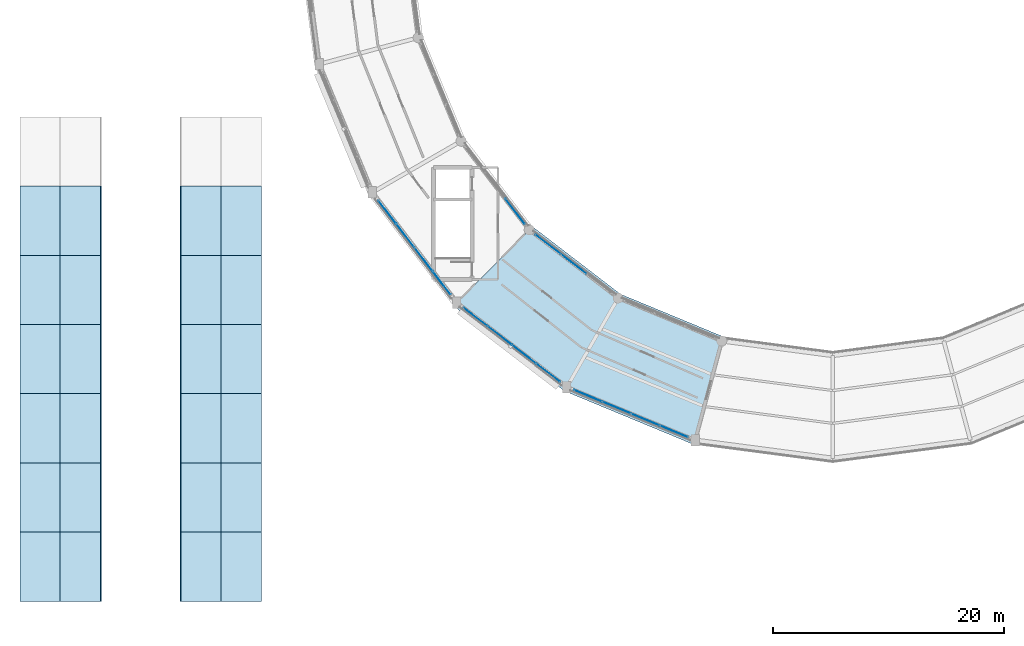
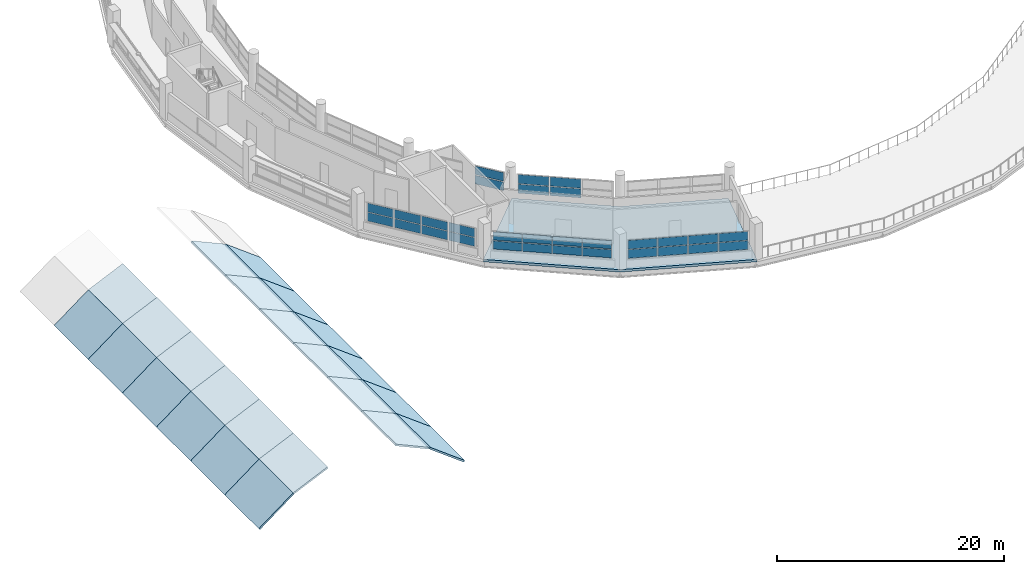
"""IFC4 building model written with IfcOpenShell, lengths in metres."""

import ifcopenshell
import ifcopenshell.guid

model = None  # the IFC model being written
_history = None  # IfcOwnerHistory: only IFC2X3 demands one
_inside = {}  # id of a spatial element -> (the spatial element, [elements in it])
_under = {}  # id of a project, library or spatial element -> (it, [spatial elements below it])
_declared = {}  # id of a project -> (the project, [libraries it declares])
_typed = {}  # id of a type object -> (the type object, [elements of that type])
_made_of = {}  # id of a material, layer set ... -> (it, [elements and type objects made of it])


def new_model(schema):
    """Start an empty IFC model of exactly this schema.

    Asked for "IFC4X3", IfcOpenShell would pick the latest addendum, in which some entities
    have other attributes; the version numbers below select the first issue.
    IFC2X3 requires an IfcOwnerHistory on every rooted entity: one is made here for all.
    """
    global model, _history
    if schema == "IFC4X3":
        model = ifcopenshell.file(schema_version=(4, 3, 0, 0))
    else:
        model = ifcopenshell.file(schema=schema)
    _inside.clear()
    _under.clear()
    _declared.clear()
    _typed.clear()
    _made_of.clear()
    _history = None
    if model.schema == "IFC2X3":
        org = make("IfcOrganization", Name="unknown")
        user = make(
            "IfcPersonAndOrganization",
            ThePerson=make("IfcPerson", FamilyName="unknown"),
            TheOrganization=org,
        )
        app = make(
            "IfcApplication",
            ApplicationDeveloper=org,
            Version="unknown",
            ApplicationFullName="unknown",
            ApplicationIdentifier="unknown",
        )
        _history = make(
            "IfcOwnerHistory",
            OwningUser=user,
            OwningApplication=app,
            ChangeAction="ADDED",
            CreationDate=0,
        )
    return model


def make(cls, **values):
    """One entity of the class cls with the attributes given. An attribute that is None is left unset."""
    return model.create_entity(
        cls, **{name: value for name, value in values.items() if value is not None}
    )


def rooted(cls, **values):
    """An entity with a GlobalId (a new one), such as an element, a storey or a relation."""
    return make(cls, GlobalId=ifcopenshell.guid.new(), OwnerHistory=_history, **values)


def si_unit(unit_type, name, prefix=None):
    """IfcSIUnit, for example si_unit("LENGTHUNIT", "METRE", prefix="MILLI")."""
    return make("IfcSIUnit", UnitType=unit_type, Prefix=prefix, Name=name)


def assignment(units):
    """IfcUnitAssignment: the units of a project."""
    return None if units is None else make("IfcUnitAssignment", Units=units)


def point(xyz):
    """IfcCartesianPoint."""
    return None if xyz is None else make("IfcCartesianPoint", Coordinates=xyz)


def direction(xyz):
    """IfcDirection."""
    return None if xyz is None else make("IfcDirection", DirectionRatios=xyz)


def frame(location, z_axis=None, x_axis=None):
    """IfcAxis2Placement3D, a coordinate frame: its origin and axes. An axis left out is left unset."""
    return make(
        "IfcAxis2Placement3D",
        Location=point(location),
        Axis=direction(z_axis),
        RefDirection=direction(x_axis),
    )


def frame_2d(location, x_axis=None):
    """IfcAxis2Placement2D, a coordinate frame in the plane: its origin and x axis."""
    return make(
        "IfcAxis2Placement2D", Location=point(location), RefDirection=direction(x_axis)
    )


def origin():
    """The frame at (0, 0, 0) with its axes left unset."""
    return frame((0.0, 0.0, 0.0))


def origin_2d():
    """The frame at (0, 0) in the plane with its x axis left unset."""
    return frame_2d((0.0, 0.0))


def place(relative_to, where):
    """IfcLocalPlacement: puts the frame where relative to a parent placement (None: the world)."""
    return make(
        "IfcLocalPlacement", PlacementRelTo=relative_to, RelativePlacement=where
    )


def context(
    kind, dimensions, precision=None, world=None, true_north=None, identifier=None
):
    """IfcGeometricRepresentationContext, for example the 3D "Model" context."""
    return make(
        "IfcGeometricRepresentationContext",
        ContextIdentifier=identifier,
        ContextType=kind,
        CoordinateSpaceDimension=dimensions,
        Precision=precision,
        WorldCoordinateSystem=world,
        TrueNorth=true_north,
    )


def subcontext(parent, identifier, kind, view, scale=None):
    """IfcGeometricRepresentationSubContext, for example "Body" below "Model"."""
    return make(
        "IfcGeometricRepresentationSubContext",
        ContextIdentifier=identifier,
        ContextType=kind,
        ParentContext=parent,
        TargetScale=scale,
        TargetView=view,
    )


def project(units=None, contexts=None):
    """IfcProject with its units and contexts."""
    return rooted(
        "IfcProject",
        Name="project",
        RepresentationContexts=contexts,
        UnitsInContext=assignment(units),
    )


def spatial(cls, under=None, at=None, **own):
    """A site, building, storey or space (cls), placed at a placement, below another one or the project."""
    s = rooted(cls, ObjectPlacement=at, **own)
    if under is not None:
        _under.setdefault(under.id(), (under, []))[1].append(s)
    return s


def polyline(points):
    """IfcPolyline through the points."""
    return make("IfcPolyline", Points=[point(p) for p in points])


def profile(cls, at=None, kind="AREA", **sizes):
    """A parametric profile (cls). Its sizes go by their IFC names, for example OverallWidth=200.0."""
    return make(cls, ProfileType=kind, Position=at, **sizes)


def rectangle(**sizes):
    """IfcRectangleProfileDef."""
    return profile("IfcRectangleProfileDef", **sizes)


def outline(outer, holes=None, kind="AREA"):
    """IfcArbitraryClosedProfileDef: a profile drawn as a closed curve; with holes, ...WithVoids."""
    if holes is None:
        return make("IfcArbitraryClosedProfileDef", ProfileType=kind, OuterCurve=outer)
    return make(
        "IfcArbitraryProfileDefWithVoids",
        ProfileType=kind,
        OuterCurve=outer,
        InnerCurves=holes,
    )


def extrude(swept, where, along, depth):
    """IfcExtrudedAreaSolid: the profile swept, set in the frame where, extruded along a direction by depth."""
    return make(
        "IfcExtrudedAreaSolid",
        SweptArea=swept,
        Position=where,
        ExtrudedDirection=direction(along),
        Depth=depth,
    )


def shape(context_of_items, identifier, shape_type, items):
    """IfcShapeRepresentation: the items that make up one representation, for example the "Body"."""
    return make(
        "IfcShapeRepresentation",
        ContextOfItems=context_of_items,
        RepresentationIdentifier=identifier,
        RepresentationType=shape_type,
        Items=items,
    )


def material(Name=None, Category=None):
    """IfcMaterial."""
    return make("IfcMaterial", Name=Name, Category=Category)


def layer(
    of_material, thickness, ventilated=None, Name=None, Category=None, Priority=None
):
    """IfcMaterialLayer: one layer of a wall or slab, of a material (None: an air gap)."""
    return make(
        "IfcMaterialLayer",
        Material=of_material,
        LayerThickness=thickness,
        IsVentilated=ventilated,
        Name=Name,
        Category=Category,
        Priority=Priority,
    )


def layer_set(layers, Name=None):
    """IfcMaterialLayerSet."""
    return make("IfcMaterialLayerSet", MaterialLayers=layers, LayerSetName=Name)


def made_of(thing, what):
    """Note that an element or type object is made of a material, layer set ...; save() writes the relation."""
    if what is not None:
        _made_of.setdefault(what.id(), (what, []))[1].append(thing)
    return thing


def type_object(cls, material=None, **own):
    """A type object (cls), such as IfcWallType, which elements share."""
    return made_of(rooted(cls, **own), material)


def element(
    cls,
    number,
    at=None,
    inside=None,
    cuts=None,
    type_object=None,
    material=None,
    context=None,
    identifier="Body",
    shape_type=None,
    held_by="IfcProductDefinitionShape",
    body=None,
    shapes=None,
    **own,
):
    """One element of the class cls, such as IfcWall. Its Tag is "e" and its number.

    at: its placement. inside: the storey or other place that contains it. cuts: it is an
    opening in that element (IfcRelVoidsElement). A single representation is given by context,
    identifier, shape_type and body (its items); several are given by shapes. held_by: the class
    of the entity that holds the representations. save() writes the other relations.
    """
    e = rooted(cls, Tag="e%d" % number, ObjectPlacement=at, **own)
    if body is not None:
        shapes = [shape(context, identifier, shape_type, body)]
    if shapes is not None:
        e.Representation = make(held_by, Representations=shapes)
    if inside is not None:
        _inside.setdefault(inside.id(), (inside, []))[1].append(e)
    if cuts is not None:
        rooted(
            "IfcRelVoidsElement", RelatingBuildingElement=cuts, RelatedOpeningElement=e
        )
    if type_object is not None:
        _typed.setdefault(type_object.id(), (type_object, []))[1].append(e)
    return made_of(e, material)


def aggregate(whole, parts):
    """IfcRelAggregates: a whole, such as a stair, and the parts it consists of."""
    return rooted("IfcRelAggregates", RelatingObject=whole, RelatedObjects=parts)


def save(model, path):
    """Write the relations noted so far, then the file.

    IfcRelAggregates (storeys below a building ...), IfcRelContainedInSpatialStructure (elements
    in a storey), IfcRelDefinesByType, IfcRelAssociatesMaterial and IfcRelDeclares: one each for
    every whole, place, type object, material and project.
    """
    for whole, parts in _under.values():
        aggregate(whole, parts)
    for where, things in _inside.values():
        rooted(
            "IfcRelContainedInSpatialStructure",
            RelatedElements=things,
            RelatingStructure=where,
        )
    for kind, things in _typed.values():
        rooted("IfcRelDefinesByType", RelatedObjects=things, RelatingType=kind)
    for what, things in _made_of.values():
        rooted("IfcRelAssociatesMaterial", RelatedObjects=things, RelatingMaterial=what)
    for by, libraries in _declared.values():
        rooted("IfcRelDeclares", RelatingContext=by, RelatedDefinitions=libraries)
    model.write(path)


model = new_model("IFC4")

# Units and contexts
model_context = context("Model", 3, precision=1e-05, world=origin(), true_north=direction((0.0, 1.0)))
body_context = subcontext(model_context, "Body", "Model", "MODEL_VIEW")
ifc_project = project(units=[si_unit("LENGTHUNIT", "METRE"), si_unit("AREAUNIT", "SQUARE_METRE"), si_unit("VOLUMEUNIT", "CUBIC_METRE"), si_unit("PLANEANGLEUNIT", "RADIAN"), si_unit("MASSUNIT", "GRAM", prefix="KILO")], contexts=[model_context])

# Site, building, storey
site_placement = place(None, origin())
site = spatial("IfcSite", under=ifc_project, at=site_placement, CompositionType="ELEMENT")
building_placement = place(site_placement, origin())
building = spatial("IfcBuilding", under=site, at=building_placement, Name="Vespera Passage Community Centre", CompositionType="ELEMENT")
storey_1_placement = place(building_placement, frame((0.0, 0.0, 20.39990234375)))
storey_1 = spatial("IfcBuildingStorey", under=building, at=storey_1_placement, Name="L05", CompositionType="ELEMENT", Elevation=20.39990234375)

# Curtain wall, plates
ifc_material_1 = material(Name="Anodized aluminium 6063-T6", Category="aluminium")
ifc_layer_1 = layer(ifc_material_1, 0.159912109375)
ifc_layer_set_1 = layer_set([ifc_layer_1], Name="Anodized aluminium 6063-T6")
curtain_wall_type_1 = type_object("IfcCurtainWallType", Name="CW-69E", PredefinedType="NOTDEFINED", material=ifc_layer_set_1)
curtain_wall_1_placement = place(storey_1_placement, origin())
curtain_wall_1 = element("IfcCurtainWall", 1, at=curtain_wall_1_placement, inside=storey_1, type_object=curtain_wall_type_1, Name="V4 L05 Outer Ribbon Curtain Wall 15", PredefinedType="NOTDEFINED")
ifc_material_2 = material(Name="Low-E insulated vision glass", Category="glass")
ifc_layer_2 = layer(ifc_material_2, 0.02001953125)
ifc_layer_set_2 = layer_set([ifc_layer_2], Name="Low-E insulated vision glass")
plate_type_1 = type_object("IfcPlateType", Name="PL-CWP-20E", PredefinedType="CURTAIN_PANEL", material=ifc_layer_set_2)
plate_1_placement = place(storey_1_placement, frame((53.33447265625, 26.81591796875, 0.919921875), z_axis=(0.0, 0.0, 1.0), x_axis=(-0.793345363065, 0.608771824991, 0.0)))
plate_1 = element("IfcPlate", 2, at=plate_1_placement, type_object=plate_type_1, Name="CW-69E panel 1.1", PredefinedType="CURTAIN_PANEL", context=body_context, shape_type="SweptSolid", body=[
    extrude(rectangle(XDim=2.5673828125, YDim=0.02001953125, at=origin_2d()), origin(), (0.0, 0.0, 1.0), 0.872802734375),
])
plate_2_placement = place(storey_1_placement, frame((53.33447265625, 26.81591796875, 1.89306640625), z_axis=(0.0, 0.0, 1.0), x_axis=(-0.793345363065, 0.608771824991, 0.0)))
plate_2 = element("IfcPlate", 3, at=plate_2_placement, type_object=plate_type_1, Name="CW-69E panel 1.2", PredefinedType="CURTAIN_PANEL", context=body_context, shape_type="SweptSolid", body=[
    extrude(rectangle(XDim=2.5673828125, YDim=0.02001953125, at=origin_2d()), origin(), (0.0, 0.0, 1.0), 0.872802734375),
])
plate_3_placement = place(storey_1_placement, frame((51.233154296875, 28.42822265625, 0.919921875), z_axis=(0.0, 0.0, 1.0), x_axis=(-0.793345363065, 0.608771824991, 0.0)))
plate_3 = element("IfcPlate", 4, at=plate_3_placement, type_object=plate_type_1, Name="CW-69E panel 2.1", PredefinedType="CURTAIN_PANEL", context=body_context, shape_type="SweptSolid", body=[
    extrude(rectangle(XDim=2.599853515625, YDim=0.02001953125, at=origin_2d()), origin(), (0.0, 0.0, 1.0), 0.872802734375),
])
plate_4_placement = place(storey_1_placement, frame((51.233154296875, 28.42822265625, 1.89306640625), z_axis=(0.0, 0.0, 1.0), x_axis=(-0.793345363065, 0.608771824991, 0.0)))
plate_4 = element("IfcPlate", 5, at=plate_4_placement, type_object=plate_type_1, Name="CW-69E panel 2.2", PredefinedType="CURTAIN_PANEL", context=body_context, shape_type="SweptSolid", body=[
    extrude(rectangle(XDim=2.599853515625, YDim=0.02001953125, at=origin_2d()), origin(), (0.0, 0.0, 1.0), 0.872802734375),
])
plate_5_placement = place(storey_1_placement, frame((49.119140625, 30.050537109375, 0.919921875), z_axis=(0.0, 0.0, 1.0), x_axis=(-0.793345363065, 0.608771824991, 0.0)))
plate_5 = element("IfcPlate", 6, at=plate_5_placement, type_object=plate_type_1, Name="CW-69E panel 3.1", PredefinedType="CURTAIN_PANEL", context=body_context, shape_type="SweptSolid", body=[
    extrude(rectangle(XDim=2.599853515625, YDim=0.02001953125, at=origin_2d()), origin(), (0.0, 0.0, 1.0), 0.872802734375),
])
plate_6_placement = place(storey_1_placement, frame((49.119140625, 30.050537109375, 1.89306640625), z_axis=(0.0, 0.0, 1.0), x_axis=(-0.793345363065, 0.608771824991, 0.0)))
plate_6 = element("IfcPlate", 7, at=plate_6_placement, type_object=plate_type_1, Name="CW-69E panel 3.2", PredefinedType="CURTAIN_PANEL", context=body_context, shape_type="SweptSolid", body=[
    extrude(rectangle(XDim=2.599853515625, YDim=0.02001953125, at=origin_2d()), origin(), (0.0, 0.0, 1.0), 0.872802734375),
])
plate_7_placement = place(storey_1_placement, frame((47.017822265625, 31.662841796875, 0.919921875), z_axis=(0.0, 0.0, 1.0), x_axis=(-0.793345363065, 0.608771824991, 0.0)))
plate_7 = element("IfcPlate", 8, at=plate_7_placement, type_object=plate_type_1, Name="CW-69E panel 4.1", PredefinedType="CURTAIN_PANEL", context=body_context, shape_type="SweptSolid", body=[
    extrude(rectangle(XDim=2.5673828125, YDim=0.02001953125, at=origin_2d()), origin(), (0.0, 0.0, 1.0), 0.872802734375),
])
plate_8_placement = place(storey_1_placement, frame((47.017822265625, 31.662841796875, 1.89306640625), z_axis=(0.0, 0.0, 1.0), x_axis=(-0.793345363065, 0.608771824991, 0.0)))
plate_8 = element("IfcPlate", 9, at=plate_8_placement, type_object=plate_type_1, Name="CW-69E panel 4.2", PredefinedType="CURTAIN_PANEL", context=body_context, shape_type="SweptSolid", body=[
    extrude(rectangle(XDim=2.5673828125, YDim=0.02001953125, at=origin_2d()), origin(), (0.0, 0.0, 1.0), 0.872802734375),
])
aggregate(curtain_wall_1, [plate_1, plate_2, plate_3, plate_4, plate_5, plate_6, plate_7, plate_8])

ifc_material_3 = material(Name="Anodized aluminium 6063-T6", Category="aluminium")
ifc_layer_3 = layer(ifc_material_3, 0.159912109375)
ifc_layer_set_3 = layer_set([ifc_layer_3], Name="Anodized aluminium 6063-T6")
curtain_wall_type_2 = type_object("IfcCurtainWallType", Name="CW-70E", PredefinedType="NOTDEFINED", material=ifc_layer_set_3)
curtain_wall_2_placement = place(storey_1_placement, origin())
curtain_wall_2 = element("IfcCurtainWall", 10, at=curtain_wall_2_placement, inside=storey_1, type_object=curtain_wall_type_2, Name="V4 L05 Inner Court Curtain Wall 15", PredefinedType="NOTDEFINED")
plate_9_placement = place(storey_1_placement, frame((53.308349609375, 37.958251953125, 0.880126953125), z_axis=(0.0, 0.0, 1.0), x_axis=(0.793358205999, -0.608755087843, 0.0)))
plate_9 = element("IfcPlate", 11, at=plate_9_placement, type_object=plate_type_1, Name="CW-70E panel 1.1", PredefinedType="CURTAIN_PANEL", context=body_context, shape_type="SweptSolid", body=[
    extrude(rectangle(XDim=2.72900390625, YDim=0.02001953125, at=origin_2d()), origin(), (0.0, 0.0, 1.0), 0.974609375),
])
plate_10_placement = place(storey_1_placement, frame((53.308349609375, 37.958251953125, 1.91455078125), z_axis=(0.0, 0.0, 1.0), x_axis=(0.793358205999, -0.608755087843, 0.0)))
plate_10 = element("IfcPlate", 12, at=plate_10_placement, type_object=plate_type_1, Name="CW-70E panel 1.2", PredefinedType="CURTAIN_PANEL", context=body_context, shape_type="SweptSolid", body=[
    extrude(rectangle(XDim=2.72900390625, YDim=0.02001953125, at=origin_2d()), origin(), (0.0, 0.0, 1.0), 0.974853515625),
])
plate_11_placement = place(storey_1_placement, frame((55.5478515625, 36.23974609375, 0.880126953125), z_axis=(0.0, 0.0, 1.0), x_axis=(0.793358205999, -0.608755087843, 0.0)))
plate_11 = element("IfcPlate", 13, at=plate_11_placement, type_object=plate_type_1, Name="CW-70E panel 2.1", PredefinedType="CURTAIN_PANEL", context=body_context, shape_type="SweptSolid", body=[
    extrude(rectangle(XDim=2.7666015625, YDim=0.02001953125, at=origin_2d()), origin(), (0.0, 0.0, 1.0), 0.974609375),
])
plate_12_placement = place(storey_1_placement, frame((55.5478515625, 36.23974609375, 1.91455078125), z_axis=(0.0, 0.0, 1.0), x_axis=(0.793358205999, -0.608755087843, 0.0)))
plate_12 = element("IfcPlate", 14, at=plate_12_placement, type_object=plate_type_1, Name="CW-70E panel 2.2", PredefinedType="CURTAIN_PANEL", context=body_context, shape_type="SweptSolid", body=[
    extrude(rectangle(XDim=2.7666015625, YDim=0.02001953125, at=origin_2d()), origin(), (0.0, 0.0, 1.0), 0.974853515625),
])
aggregate(curtain_wall_2, [plate_9, plate_10, plate_11, plate_12])

ifc_material_4 = material(Name="Anodized aluminium 6063-T6", Category="aluminium")
ifc_layer_4 = layer(ifc_material_4, 0.159912109375)
ifc_layer_set_4 = layer_set([ifc_layer_4], Name="Anodized aluminium 6063-T6")
curtain_wall_type_3 = type_object("IfcCurtainWallType", Name="CW-71E", PredefinedType="NOTDEFINED", material=ifc_layer_set_4)
curtain_wall_3_placement = place(storey_1_placement, origin())
curtain_wall_3 = element("IfcCurtainWall", 15, at=curtain_wall_3_placement, inside=storey_1, type_object=curtain_wall_type_3, Name="V4 L05 Outer Ribbon Curtain Wall 16", PredefinedType="NOTDEFINED")
ifc_material_5 = material(Name="Low-E insulated vision glass", Category="glass")
ifc_layer_5 = layer(ifc_material_5, 0.028076171875)
ifc_layer_set_5 = layer_set([ifc_layer_5], Name="Low-E insulated vision glass")
plate_type_2 = type_object("IfcPlateType", Name="PL-CWP-28E", PredefinedType="CURTAIN_PANEL", material=ifc_layer_set_5)
plate_13_placement = place(storey_1_placement, frame((64.23095703125, 21.73193359375, 0.8798828125), z_axis=(0.0, 0.0, 1.0), x_axis=(-0.923879738007, 0.382682936255, 0.0)))
plate_13 = element("IfcPlate", 16, at=plate_13_placement, type_object=plate_type_2, Name="CW-71E panel 1.1", PredefinedType="CURTAIN_PANEL", context=body_context, shape_type="SweptSolid", body=[
    extrude(rectangle(XDim=2.585693359375, YDim=0.028076171875, at=origin_2d()), origin(), (0.0, 0.0, 1.0), 0.932861328125),
])
plate_14_placement = place(storey_1_placement, frame((64.23095703125, 21.73193359375, 1.873046875), z_axis=(0.0, 0.0, 1.0), x_axis=(-0.923879738007, 0.382682936255, 0.0)))
plate_14 = element("IfcPlate", 17, at=plate_14_placement, type_object=plate_type_2, Name="CW-71E panel 1.2", PredefinedType="CURTAIN_PANEL", context=body_context, shape_type="SweptSolid", body=[
    extrude(rectangle(XDim=2.585693359375, YDim=0.028076171875, at=origin_2d()), origin(), (0.0, 0.0, 1.0), 0.932861328125),
])
plate_15_placement = place(storey_1_placement, frame((61.755615234375, 22.75732421875, 0.8798828125), z_axis=(0.0, 0.0, 1.0), x_axis=(-0.923879738007, 0.382682936255, 0.0)))
plate_15 = element("IfcPlate", 18, at=plate_15_placement, type_object=plate_type_2, Name="CW-71E panel 2.1", PredefinedType="CURTAIN_PANEL", context=body_context, shape_type="SweptSolid", body=[
    extrude(rectangle(XDim=2.623291015625, YDim=0.028076171875, at=origin_2d()), origin(), (0.0, 0.0, 1.0), 0.932861328125),
])
plate_16_placement = place(storey_1_placement, frame((61.755615234375, 22.75732421875, 1.873046875), z_axis=(0.0, 0.0, 1.0), x_axis=(-0.923879738007, 0.382682936255, 0.0)))
plate_16 = element("IfcPlate", 19, at=plate_16_placement, type_object=plate_type_2, Name="CW-71E panel 2.2", PredefinedType="CURTAIN_PANEL", context=body_context, shape_type="SweptSolid", body=[
    extrude(rectangle(XDim=2.623291015625, YDim=0.028076171875, at=origin_2d()), origin(), (0.0, 0.0, 1.0), 0.932861328125),
])
plate_17_placement = place(storey_1_placement, frame((59.2626953125, 23.789794921875, 0.8798828125), z_axis=(0.0, 0.0, 1.0), x_axis=(-0.923879738007, 0.382682936255, 0.0)))
plate_17 = element("IfcPlate", 20, at=plate_17_placement, type_object=plate_type_2, Name="CW-71E panel 3.1", PredefinedType="CURTAIN_PANEL", context=body_context, shape_type="SweptSolid", body=[
    extrude(rectangle(XDim=2.623291015625, YDim=0.028076171875, at=origin_2d()), origin(), (0.0, 0.0, 1.0), 0.932861328125),
])
plate_18_placement = place(storey_1_placement, frame((59.2626953125, 23.789794921875, 1.873046875), z_axis=(0.0, 0.0, 1.0), x_axis=(-0.923879738007, 0.382682936255, 0.0)))
plate_18 = element("IfcPlate", 21, at=plate_18_placement, type_object=plate_type_2, Name="CW-71E panel 3.2", PredefinedType="CURTAIN_PANEL", context=body_context, shape_type="SweptSolid", body=[
    extrude(rectangle(XDim=2.623291015625, YDim=0.028076171875, at=origin_2d()), origin(), (0.0, 0.0, 1.0), 0.932861328125),
])
plate_19_placement = place(storey_1_placement, frame((56.787353515625, 24.815185546875, 0.8798828125), z_axis=(0.0, 0.0, 1.0), x_axis=(-0.923879738007, 0.382682936255, 0.0)))
plate_19 = element("IfcPlate", 22, at=plate_19_placement, type_object=plate_type_2, Name="CW-71E panel 4.1", PredefinedType="CURTAIN_PANEL", context=body_context, shape_type="SweptSolid", body=[
    extrude(rectangle(XDim=2.585693359375, YDim=0.028076171875, at=origin_2d()), origin(), (0.0, 0.0, 1.0), 0.932861328125),
])
plate_20_placement = place(storey_1_placement, frame((56.787353515625, 24.815185546875, 1.873046875), z_axis=(0.0, 0.0, 1.0), x_axis=(-0.923879738007, 0.382682936255, 0.0)))
plate_20 = element("IfcPlate", 23, at=plate_20_placement, type_object=plate_type_2, Name="CW-71E panel 4.2", PredefinedType="CURTAIN_PANEL", context=body_context, shape_type="SweptSolid", body=[
    extrude(rectangle(XDim=2.585693359375, YDim=0.028076171875, at=origin_2d()), origin(), (0.0, 0.0, 1.0), 0.932861328125),
])
aggregate(curtain_wall_3, [plate_13, plate_14, plate_15, plate_16, plate_17, plate_18, plate_19, plate_20])

ifc_material_6 = material(Name="Anodized aluminium 6063-T6", Category="aluminium")
ifc_layer_6 = layer(ifc_material_6, 0.159912109375)
ifc_layer_set_6 = layer_set([ifc_layer_6], Name="Anodized aluminium 6063-T6")
curtain_wall_type_4 = type_object("IfcCurtainWallType", Name="CW-77E", PredefinedType="NOTDEFINED", material=ifc_layer_set_6)
curtain_wall_4_placement = place(storey_1_placement, origin())
curtain_wall_4 = element("IfcCurtainWall", 24, at=curtain_wall_4_placement, inside=storey_1, type_object=curtain_wall_type_4, Name="V4 L05 Outer Ribbon Curtain Wall 14", PredefinedType="NOTDEFINED")
ifc_material_7 = material(Name="Acoustic triple-glazed vision glass", Category="glass")
ifc_layer_7 = layer(ifc_material_7, 0.035888671875)
ifc_layer_set_7 = layer_set([ifc_layer_7], Name="Acoustic triple-glazed vision glass")
plate_type_3 = type_object("IfcPlateType", Name="PL-CWP-36E", PredefinedType="CURTAIN_PANEL", material=ifc_layer_set_7)
plate_21_placement = place(storey_1_placement, frame((44.095703125, 34.605224609375, 0.8798828125), z_axis=(0.0, 0.0, 1.0), x_axis=(-0.608765447029, 0.793350257139, 0.0)))
plate_21 = element("IfcPlate", 25, at=plate_21_placement, type_object=plate_type_3, Name="CW-77E panel 1.1", PredefinedType="CURTAIN_PANEL", context=body_context, shape_type="SweptSolid", body=[
    extrude(rectangle(XDim=2.480712890625, YDim=0.035888671875, at=origin_2d()), origin(), (0.0, 0.0, 1.0), 0.932861328125),
])
plate_22_placement = place(storey_1_placement, frame((44.095703125, 34.605224609375, 1.873046875), z_axis=(0.0, 0.0, 1.0), x_axis=(-0.608765447029, 0.793350257139, 0.0)))
plate_22 = element("IfcPlate", 26, at=plate_22_placement, type_object=plate_type_3, Name="CW-77E panel 1.2", PredefinedType="CURTAIN_PANEL", context=body_context, shape_type="SweptSolid", body=[
    extrude(rectangle(XDim=2.480712890625, YDim=0.035888671875, at=origin_2d()), origin(), (0.0, 0.0, 1.0), 0.932861328125),
])
plate_23_placement = place(storey_1_placement, frame((42.528564453125, 36.6474609375, 0.8798828125), z_axis=(0.0, 0.0, 1.0), x_axis=(-0.608765447029, 0.793350257139, 0.0)))
plate_23 = element("IfcPlate", 27, at=plate_23_placement, type_object=plate_type_3, Name="CW-77E panel 2.1", PredefinedType="CURTAIN_PANEL", context=body_context, shape_type="SweptSolid", body=[
    extrude(rectangle(XDim=2.51806640625, YDim=0.035888671875, at=origin_2d()), origin(), (0.0, 0.0, 1.0), 0.932861328125),
])
plate_24_placement = place(storey_1_placement, frame((42.528564453125, 36.6474609375, 1.873046875), z_axis=(0.0, 0.0, 1.0), x_axis=(-0.608765447029, 0.793350257139, 0.0)))
plate_24 = element("IfcPlate", 28, at=plate_24_placement, type_object=plate_type_3, Name="CW-77E panel 2.2", PredefinedType="CURTAIN_PANEL", context=body_context, shape_type="SweptSolid", body=[
    extrude(rectangle(XDim=2.51806640625, YDim=0.035888671875, at=origin_2d()), origin(), (0.0, 0.0, 1.0), 0.932861328125),
])
plate_25_placement = place(storey_1_placement, frame((40.949951171875, 38.704833984375, 0.8798828125), z_axis=(0.0, 0.0, 1.0), x_axis=(-0.608765447029, 0.793350257139, 0.0)))
plate_25 = element("IfcPlate", 29, at=plate_25_placement, type_object=plate_type_3, Name="CW-77E panel 3.1", PredefinedType="CURTAIN_PANEL", context=body_context, shape_type="SweptSolid", body=[
    extrude(rectangle(XDim=2.51806640625, YDim=0.035888671875, at=origin_2d()), origin(), (0.0, 0.0, 1.0), 0.932861328125),
])
plate_26_placement = place(storey_1_placement, frame((40.949951171875, 38.704833984375, 1.873046875), z_axis=(0.0, 0.0, 1.0), x_axis=(-0.608765447029, 0.793350257139, 0.0)))
plate_26 = element("IfcPlate", 30, at=plate_26_placement, type_object=plate_type_3, Name="CW-77E panel 3.2", PredefinedType="CURTAIN_PANEL", context=body_context, shape_type="SweptSolid", body=[
    extrude(rectangle(XDim=2.51806640625, YDim=0.035888671875, at=origin_2d()), origin(), (0.0, 0.0, 1.0), 0.932861328125),
])
plate_27_placement = place(storey_1_placement, frame((39.3828125, 40.747314453125, 0.8798828125), z_axis=(0.0, 0.0, 1.0), x_axis=(-0.608765447029, 0.793350257139, 0.0)))
plate_27 = element("IfcPlate", 31, at=plate_27_placement, type_object=plate_type_3, Name="CW-77E panel 4.1", PredefinedType="CURTAIN_PANEL", context=body_context, shape_type="SweptSolid", body=[
    extrude(rectangle(XDim=2.480712890625, YDim=0.035888671875, at=origin_2d()), origin(), (0.0, 0.0, 1.0), 0.932861328125),
])
plate_28_placement = place(storey_1_placement, frame((39.3828125, 40.747314453125, 1.873046875), z_axis=(0.0, 0.0, 1.0), x_axis=(-0.608765447029, 0.793350257139, 0.0)))
plate_28 = element("IfcPlate", 32, at=plate_28_placement, type_object=plate_type_3, Name="CW-77E panel 4.2", PredefinedType="CURTAIN_PANEL", context=body_context, shape_type="SweptSolid", body=[
    extrude(rectangle(XDim=2.480712890625, YDim=0.035888671875, at=origin_2d()), origin(), (0.0, 0.0, 1.0), 0.932861328125),
])
aggregate(curtain_wall_4, [plate_21, plate_22, plate_23, plate_24, plate_25, plate_26, plate_27, plate_28])

ifc_material_8 = material(Name="Anodized aluminium 6063-T6", Category="aluminium")
ifc_layer_8 = layer(ifc_material_8, 0.159912109375)
ifc_layer_set_8 = layer_set([ifc_layer_8], Name="Anodized aluminium 6063-T6")
curtain_wall_type_5 = type_object("IfcCurtainWallType", Name="CW-78E", PredefinedType="NOTDEFINED", material=ifc_layer_set_8)
curtain_wall_5_placement = place(storey_1_placement, origin())
curtain_wall_5 = element("IfcCurtainWall", 33, at=curtain_wall_5_placement, inside=storey_1, type_object=curtain_wall_type_5, Name="V4 L05 Inner Court Curtain Wall 14", PredefinedType="NOTDEFINED")
plate_29_placement = place(storey_1_placement, frame((50.459716796875, 40.806396484375, 0.919921875), z_axis=(0.0, 0.0, 1.0), x_axis=(0.608755087843, -0.793358205999, 0.0)))
plate_29 = element("IfcPlate", 34, at=plate_29_placement, type_object=plate_type_3, Name="CW-78E panel 3.1", PredefinedType="CURTAIN_PANEL", context=body_context, shape_type="SweptSolid", body=[
    extrude(rectangle(XDim=2.744140625, YDim=0.035888671875, at=origin_2d()), origin(), (0.0, 0.0, 1.0), 0.914794921875),
])
plate_30_placement = place(storey_1_placement, frame((50.459716796875, 40.806396484375, 1.9345703125), z_axis=(0.0, 0.0, 1.0), x_axis=(0.608755087843, -0.793358205999, 0.0)))
plate_30 = element("IfcPlate", 35, at=plate_30_placement, type_object=plate_type_3, Name="CW-78E panel 3.2", PredefinedType="CURTAIN_PANEL", context=body_context, shape_type="SweptSolid", body=[
    extrude(rectangle(XDim=2.744140625, YDim=0.035888671875, at=origin_2d()), origin(), (0.0, 0.0, 1.0), 0.914794921875),
])
aggregate(curtain_wall_5, [plate_29, plate_30])

# Slab
ifc_material_9 = material(Name="Concrete f'c 35 MPa", Category="concrete")
ifc_layer_9 = layer(ifc_material_9, 0.260009765625)
ifc_layer_set_9 = layer_set([ifc_layer_9], Name="Concrete f'c 35 MPa")
slab_type_1 = type_object("IfcSlabType", Name="SL-UPPER-260", PredefinedType="FLOOR", material=ifc_layer_set_9)
slab_1_placement = place(storey_1_placement, frame((0.0, 0.0, -0.260009765625)))
element("IfcSlab", 36, at=slab_1_placement, inside=storey_1, type_object=slab_type_1, Name="V4 L05 Interior Sector 5 Slab", PredefinedType="FLOOR", context=body_context, shape_type="SweptSolid", body=[
    extrude(outline(polyline([(45.119384765625, 32.619384765625), (54.75, 25.229736328125), (65.96484375, 20.58447265625), (68.4755859375, 29.953857421875), (59.60009765625, 33.63037109375), (51.978515625, 39.478515625), (45.119384765625, 32.619384765625)])), origin(), (0.0, 0.0, 1.0), 0.260009765625),
])

# Storey
storey_2_placement = place(building_placement, frame((0.0, 0.0, 16.5)))
storey_2 = spatial("IfcBuildingStorey", under=building, at=storey_2_placement, Name="L04", CompositionType="ELEMENT", Elevation=16.5)

# Roof, slabs
ifc_material_10 = material(Name="Concrete f'c 45 MPa", Category="concrete")
roof_type = type_object("IfcRoofType", Name="RF-VAULT-V1", PredefinedType="BARREL_ROOF", material=ifc_material_10)
roof_placement = place(storey_2_placement, origin())
roof = element("IfcRoof", 37, at=roof_placement, inside=storey_2, type_object=roof_type, Name="Main Hall Barrel-Vaulted Roof V1", PredefinedType="BARREL_ROOF")
ifc_material_11 = material(Name="Concrete f'c 45 MPa", Category="concrete")
ifc_layer_10 = layer(ifc_material_11, 0.179931640625)
ifc_layer_set_10 = layer_set([ifc_layer_10], Name="Concrete f'c 45 MPa")
slab_type_2 = type_object("IfcSlabType", Name="SL-VAULT-180E", PredefinedType="ROOF", material=ifc_layer_set_10)
slab_2_placement = place(storey_1_placement, frame((7.53759765625, 7.0, -0.224853515625), z_axis=(-0.601395182325, 0.0, 0.798951709852), x_axis=(0.798951709852, 0.0, 0.601395182325)))
slab_2 = element("IfcSlab", 38, at=slab_2_placement, inside=storey_1, type_object=slab_type_2, Name="Main Hall Barrel Vault Panel B1.2", PredefinedType="ROOF", context=body_context, shape_type="SweptSolid", body=[
    extrude(outline(polyline([(0.0, 0.0), (4.36485039645799, 0.0), (4.36485039645799, 6.0), (0.0, 6.0), (0.0, 0.0)])), origin(), (0.0, 0.0, -1.0), 0.179931640625),
])
slab_3_placement = place(storey_1_placement, frame((11.02490234375, 7.0, 2.400146484375), z_axis=(-0.411571337672, 0.0, 0.911377547456), x_axis=(0.911377547456, 0.0, 0.411571337672)))
slab_3 = element("IfcSlab", 39, at=slab_3_placement, inside=storey_1, type_object=slab_type_2, Name="Main Hall Barrel Vault Panel B1.3", PredefinedType="ROOF", context=body_context, shape_type="SweptSolid", body=[
    extrude(outline(polyline([(0.0, 0.0), (3.8266784581862243, 0.0), (3.8266784581862243, 6.0), (0.0, 6.0), (0.0, 0.0)])), origin(), (0.0, 0.0, -1.0), 0.179931640625),
])
slab_4_placement = place(storey_1_placement, frame((21.487548828125, 7.0, 3.97509765625), z_axis=(0.411571337672, 0.0, 0.911377547456), x_axis=(0.911377547456, 0.0, -0.411571337672)))
slab_4 = element("IfcSlab", 40, at=slab_4_placement, inside=storey_1, type_object=slab_type_2, Name="Main Hall Barrel Vault Panel B1.6", PredefinedType="ROOF", context=body_context, shape_type="SweptSolid", body=[
    extrude(outline(polyline([(0.0, 0.0), (3.8266784581862243, 0.0), (3.8266784581862243, 6.0), (0.0, 6.0), (0.0, 0.0)])), origin(), (0.0, 0.0, -1.0), 0.179931640625),
])
slab_5_placement = place(storey_1_placement, frame((24.97509765625, 7.0, 2.400146484375), z_axis=(0.601395182325, 0.0, 0.798951709852), x_axis=(0.798951709852, 0.0, -0.601395182325)))
slab_5 = element("IfcSlab", 41, at=slab_5_placement, inside=storey_1, type_object=slab_type_2, Name="Main Hall Barrel Vault Panel B1.7", PredefinedType="ROOF", context=body_context, shape_type="SweptSolid", body=[
    extrude(outline(polyline([(0.0, 0.0), (4.36485039645799, 0.0), (4.36485039645799, 6.0), (0.0, 6.0), (0.0, 0.0)])), origin(), (0.0, 0.0, -1.0), 0.179931640625),
])
slab_6_placement = place(storey_1_placement, frame((7.53759765625, 13.0, -0.224853515625), z_axis=(-0.601395182325, 0.0, 0.798951709852), x_axis=(0.798951709852, 0.0, 0.601395182325)))
slab_6 = element("IfcSlab", 42, at=slab_6_placement, inside=storey_1, type_object=slab_type_2, Name="Main Hall Barrel Vault Panel B2.2", PredefinedType="ROOF", context=body_context, shape_type="SweptSolid", body=[
    extrude(outline(polyline([(0.0, 0.0), (4.36485039645799, 0.0), (4.36485039645799, 6.0), (0.0, 6.0), (0.0, 0.0)])), origin(), (0.0, 0.0, -1.0), 0.179931640625),
])
slab_7_placement = place(storey_1_placement, frame((11.02490234375, 13.0, 2.400146484375), z_axis=(-0.411571337672, 0.0, 0.911377547456), x_axis=(0.911377547456, 0.0, 0.411571337672)))
slab_7 = element("IfcSlab", 43, at=slab_7_placement, inside=storey_1, type_object=slab_type_2, Name="Main Hall Barrel Vault Panel B2.3", PredefinedType="ROOF", context=body_context, shape_type="SweptSolid", body=[
    extrude(outline(polyline([(0.0, 0.0), (3.8266784581862243, 0.0), (3.8266784581862243, 6.0), (0.0, 6.0), (0.0, 0.0)])), origin(), (0.0, 0.0, -1.0), 0.179931640625),
])
slab_8_placement = place(storey_1_placement, frame((21.487548828125, 13.0, 3.97509765625), z_axis=(0.411571337672, 0.0, 0.911377547456), x_axis=(0.911377547456, 0.0, -0.411571337672)))
slab_8 = element("IfcSlab", 44, at=slab_8_placement, inside=storey_1, type_object=slab_type_2, Name="Main Hall Barrel Vault Panel B2.6", PredefinedType="ROOF", context=body_context, shape_type="SweptSolid", body=[
    extrude(outline(polyline([(0.0, 0.0), (3.8266784581862243, 0.0), (3.8266784581862243, 6.0), (0.0, 6.0), (0.0, 0.0)])), origin(), (0.0, 0.0, -1.0), 0.179931640625),
])
slab_9_placement = place(storey_1_placement, frame((24.97509765625, 13.0, 2.400146484375), z_axis=(0.601395182325, 0.0, 0.798951709852), x_axis=(0.798951709852, 0.0, -0.601395182325)))
slab_9 = element("IfcSlab", 45, at=slab_9_placement, inside=storey_1, type_object=slab_type_2, Name="Main Hall Barrel Vault Panel B2.7", PredefinedType="ROOF", context=body_context, shape_type="SweptSolid", body=[
    extrude(outline(polyline([(0.0, 0.0), (4.36485039645799, 0.0), (4.36485039645799, 6.0), (0.0, 6.0), (0.0, 0.0)])), origin(), (0.0, 0.0, -1.0), 0.179931640625),
])
slab_10_placement = place(storey_1_placement, frame((7.53759765625, 19.0, -0.224853515625), z_axis=(-0.601395182325, 0.0, 0.798951709852), x_axis=(0.798951709852, 0.0, 0.601395182325)))
slab_10 = element("IfcSlab", 46, at=slab_10_placement, inside=storey_1, type_object=slab_type_2, Name="Main Hall Barrel Vault Panel B3.2", PredefinedType="ROOF", context=body_context, shape_type="SweptSolid", body=[
    extrude(outline(polyline([(0.0, 0.0), (4.36485039645799, 0.0), (4.36485039645799, 6.0), (0.0, 6.0), (0.0, 0.0)])), origin(), (0.0, 0.0, -1.0), 0.179931640625),
])
slab_11_placement = place(storey_1_placement, frame((11.02490234375, 19.0, 2.400146484375), z_axis=(-0.411571337672, 0.0, 0.911377547456), x_axis=(0.911377547456, 0.0, 0.411571337672)))
slab_11 = element("IfcSlab", 47, at=slab_11_placement, inside=storey_1, type_object=slab_type_2, Name="Main Hall Barrel Vault Panel B3.3", PredefinedType="ROOF", context=body_context, shape_type="SweptSolid", body=[
    extrude(outline(polyline([(0.0, 0.0), (3.8266784581862243, 0.0), (3.8266784581862243, 6.0), (0.0, 6.0), (0.0, 0.0)])), origin(), (0.0, 0.0, -1.0), 0.179931640625),
])
slab_12_placement = place(storey_1_placement, frame((21.487548828125, 19.0, 3.97509765625), z_axis=(0.411571337672, 0.0, 0.911377547456), x_axis=(0.911377547456, 0.0, -0.411571337672)))
slab_12 = element("IfcSlab", 48, at=slab_12_placement, inside=storey_1, type_object=slab_type_2, Name="Main Hall Barrel Vault Panel B3.6", PredefinedType="ROOF", context=body_context, shape_type="SweptSolid", body=[
    extrude(outline(polyline([(0.0, 0.0), (3.8266784581862243, 0.0), (3.8266784581862243, 6.0), (0.0, 6.0), (0.0, 0.0)])), origin(), (0.0, 0.0, -1.0), 0.179931640625),
])
slab_13_placement = place(storey_1_placement, frame((24.97509765625, 19.0, 2.400146484375), z_axis=(0.601395182325, 0.0, 0.798951709852), x_axis=(0.798951709852, 0.0, -0.601395182325)))
slab_13 = element("IfcSlab", 49, at=slab_13_placement, inside=storey_1, type_object=slab_type_2, Name="Main Hall Barrel Vault Panel B3.7", PredefinedType="ROOF", context=body_context, shape_type="SweptSolid", body=[
    extrude(outline(polyline([(0.0, 0.0), (4.36485039645799, 0.0), (4.36485039645799, 6.0), (0.0, 6.0), (0.0, 0.0)])), origin(), (0.0, 0.0, -1.0), 0.179931640625),
])
slab_14_placement = place(storey_1_placement, frame((7.53759765625, 25.0, -0.224853515625), z_axis=(-0.601395182325, 0.0, 0.798951709852), x_axis=(0.798951709852, 0.0, 0.601395182325)))
slab_14 = element("IfcSlab", 50, at=slab_14_placement, inside=storey_1, type_object=slab_type_2, Name="Main Hall Barrel Vault Panel B4.2", PredefinedType="ROOF", context=body_context, shape_type="SweptSolid", body=[
    extrude(outline(polyline([(0.0, 0.0), (4.36485039645799, 0.0), (4.36485039645799, 6.0), (0.0, 6.0), (0.0, 0.0)])), origin(), (0.0, 0.0, -1.0), 0.179931640625),
])
slab_15_placement = place(storey_1_placement, frame((11.02490234375, 25.0, 2.400146484375), z_axis=(-0.411571337672, 0.0, 0.911377547456), x_axis=(0.911377547456, 0.0, 0.411571337672)))
slab_15 = element("IfcSlab", 51, at=slab_15_placement, inside=storey_1, type_object=slab_type_2, Name="Main Hall Barrel Vault Panel B4.3", PredefinedType="ROOF", context=body_context, shape_type="SweptSolid", body=[
    extrude(outline(polyline([(0.0, 0.0), (3.8266784581862243, 0.0), (3.8266784581862243, 6.0), (0.0, 6.0), (0.0, 0.0)])), origin(), (0.0, 0.0, -1.0), 0.179931640625),
])
slab_16_placement = place(storey_1_placement, frame((21.487548828125, 25.0, 3.97509765625), z_axis=(0.411571337672, 0.0, 0.911377547456), x_axis=(0.911377547456, 0.0, -0.411571337672)))
slab_16 = element("IfcSlab", 52, at=slab_16_placement, inside=storey_1, type_object=slab_type_2, Name="Main Hall Barrel Vault Panel B4.6", PredefinedType="ROOF", context=body_context, shape_type="SweptSolid", body=[
    extrude(outline(polyline([(0.0, 0.0), (3.8266784581862243, 0.0), (3.8266784581862243, 6.0), (0.0, 6.0), (0.0, 0.0)])), origin(), (0.0, 0.0, -1.0), 0.179931640625),
])
slab_17_placement = place(storey_1_placement, frame((24.97509765625, 25.0, 2.400146484375), z_axis=(0.601395182325, 0.0, 0.798951709852), x_axis=(0.798951709852, 0.0, -0.601395182325)))
slab_17 = element("IfcSlab", 53, at=slab_17_placement, inside=storey_1, type_object=slab_type_2, Name="Main Hall Barrel Vault Panel B4.7", PredefinedType="ROOF", context=body_context, shape_type="SweptSolid", body=[
    extrude(outline(polyline([(0.0, 0.0), (4.36485039645799, 0.0), (4.36485039645799, 6.0), (0.0, 6.0), (0.0, 0.0)])), origin(), (0.0, 0.0, -1.0), 0.179931640625),
])
slab_18_placement = place(storey_1_placement, frame((7.53759765625, 31.0, -0.224853515625), z_axis=(-0.601395182325, 0.0, 0.798951709852), x_axis=(0.798951709852, 0.0, 0.601395182325)))
slab_18 = element("IfcSlab", 54, at=slab_18_placement, inside=storey_1, type_object=slab_type_2, Name="Main Hall Barrel Vault Panel B5.2", PredefinedType="ROOF", context=body_context, shape_type="SweptSolid", body=[
    extrude(outline(polyline([(0.0, 0.0), (4.36485039645799, 0.0), (4.36485039645799, 6.0), (0.0, 6.0), (0.0, 0.0)])), origin(), (0.0, 0.0, -1.0), 0.179931640625),
])
slab_19_placement = place(storey_1_placement, frame((11.02490234375, 31.0, 2.400146484375), z_axis=(-0.411571337672, 0.0, 0.911377547456), x_axis=(0.911377547456, 0.0, 0.411571337672)))
slab_19 = element("IfcSlab", 55, at=slab_19_placement, inside=storey_1, type_object=slab_type_2, Name="Main Hall Barrel Vault Panel B5.3", PredefinedType="ROOF", context=body_context, shape_type="SweptSolid", body=[
    extrude(outline(polyline([(0.0, 0.0), (3.8266784581862243, 0.0), (3.8266784581862243, 6.0), (0.0, 6.0), (0.0, 0.0)])), origin(), (0.0, 0.0, -1.0), 0.179931640625),
])
slab_20_placement = place(storey_1_placement, frame((21.487548828125, 31.0, 3.97509765625), z_axis=(0.411571337672, 0.0, 0.911377547456), x_axis=(0.911377547456, 0.0, -0.411571337672)))
slab_20 = element("IfcSlab", 56, at=slab_20_placement, inside=storey_1, type_object=slab_type_2, Name="Main Hall Barrel Vault Panel B5.6", PredefinedType="ROOF", context=body_context, shape_type="SweptSolid", body=[
    extrude(outline(polyline([(0.0, 0.0), (3.8266784581862243, 0.0), (3.8266784581862243, 6.0), (0.0, 6.0), (0.0, 0.0)])), origin(), (0.0, 0.0, -1.0), 0.179931640625),
])
slab_21_placement = place(storey_1_placement, frame((24.97509765625, 31.0, 2.400146484375), z_axis=(0.601395182325, 0.0, 0.798951709852), x_axis=(0.798951709852, 0.0, -0.601395182325)))
slab_21 = element("IfcSlab", 57, at=slab_21_placement, inside=storey_1, type_object=slab_type_2, Name="Main Hall Barrel Vault Panel B5.7", PredefinedType="ROOF", context=body_context, shape_type="SweptSolid", body=[
    extrude(outline(polyline([(0.0, 0.0), (4.36485039645799, 0.0), (4.36485039645799, 6.0), (0.0, 6.0), (0.0, 0.0)])), origin(), (0.0, 0.0, -1.0), 0.179931640625),
])
slab_22_placement = place(storey_1_placement, frame((7.53759765625, 37.0, -0.224853515625), z_axis=(-0.601395182325, 0.0, 0.798951709852), x_axis=(0.798951709852, 0.0, 0.601395182325)))
slab_22 = element("IfcSlab", 58, at=slab_22_placement, inside=storey_1, type_object=slab_type_2, Name="Main Hall Barrel Vault Panel B6.2", PredefinedType="ROOF", context=body_context, shape_type="SweptSolid", body=[
    extrude(outline(polyline([(0.0, 0.0), (4.36485039645799, 0.0), (4.36485039645799, 6.0), (0.0, 6.0), (0.0, 0.0)])), origin(), (0.0, 0.0, -1.0), 0.179931640625),
])
slab_23_placement = place(storey_1_placement, frame((11.02490234375, 37.0, 2.400146484375), z_axis=(-0.411571337672, 0.0, 0.911377547456), x_axis=(0.911377547456, 0.0, 0.411571337672)))
slab_23 = element("IfcSlab", 59, at=slab_23_placement, inside=storey_1, type_object=slab_type_2, Name="Main Hall Barrel Vault Panel B6.3", PredefinedType="ROOF", context=body_context, shape_type="SweptSolid", body=[
    extrude(outline(polyline([(0.0, 0.0), (3.8266784581862243, 0.0), (3.8266784581862243, 6.0), (0.0, 6.0), (0.0, 0.0)])), origin(), (0.0, 0.0, -1.0), 0.179931640625),
])
slab_24_placement = place(storey_1_placement, frame((21.487548828125, 37.0, 3.97509765625), z_axis=(0.411571337672, 0.0, 0.911377547456), x_axis=(0.911377547456, 0.0, -0.411571337672)))
slab_24 = element("IfcSlab", 60, at=slab_24_placement, inside=storey_1, type_object=slab_type_2, Name="Main Hall Barrel Vault Panel B6.6", PredefinedType="ROOF", context=body_context, shape_type="SweptSolid", body=[
    extrude(outline(polyline([(0.0, 0.0), (3.8266784581862243, 0.0), (3.8266784581862243, 6.0), (0.0, 6.0), (0.0, 0.0)])), origin(), (0.0, 0.0, -1.0), 0.179931640625),
])
slab_25_placement = place(storey_1_placement, frame((24.97509765625, 37.0, 2.400146484375), z_axis=(0.601395182325, 0.0, 0.798951709852), x_axis=(0.798951709852, 0.0, -0.601395182325)))
slab_25 = element("IfcSlab", 61, at=slab_25_placement, inside=storey_1, type_object=slab_type_2, Name="Main Hall Barrel Vault Panel B6.7", PredefinedType="ROOF", context=body_context, shape_type="SweptSolid", body=[
    extrude(outline(polyline([(0.0, 0.0), (4.36485039645799, 0.0), (4.36485039645799, 6.0), (0.0, 6.0), (0.0, 0.0)])), origin(), (0.0, 0.0, -1.0), 0.179931640625),
])
aggregate(roof, [slab_2, slab_3, slab_4, slab_5, slab_6, slab_7, slab_8, slab_9, slab_10, slab_11, slab_12, slab_13, slab_14, slab_15, slab_16, slab_17, slab_18, slab_19, slab_20, slab_21, slab_22, slab_23, slab_24, slab_25])

save(model, "model.ifc")
